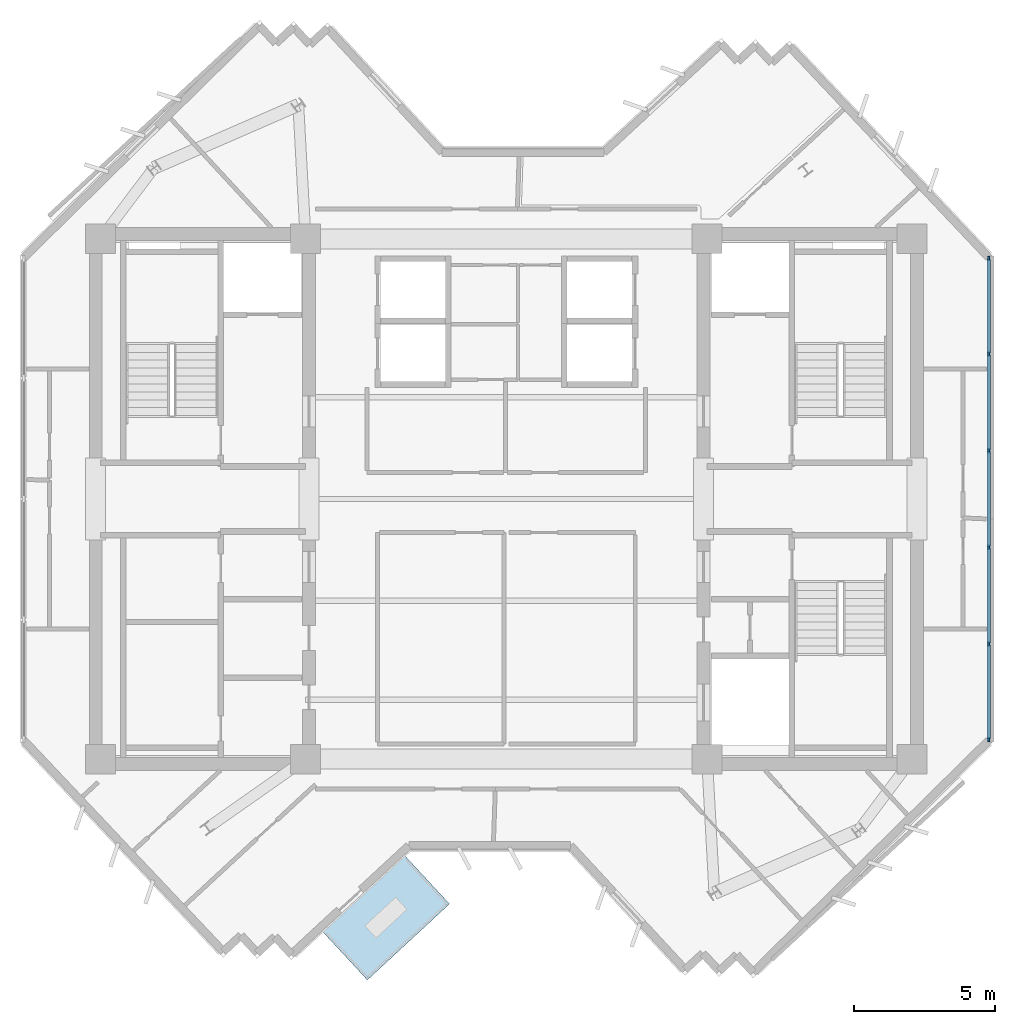
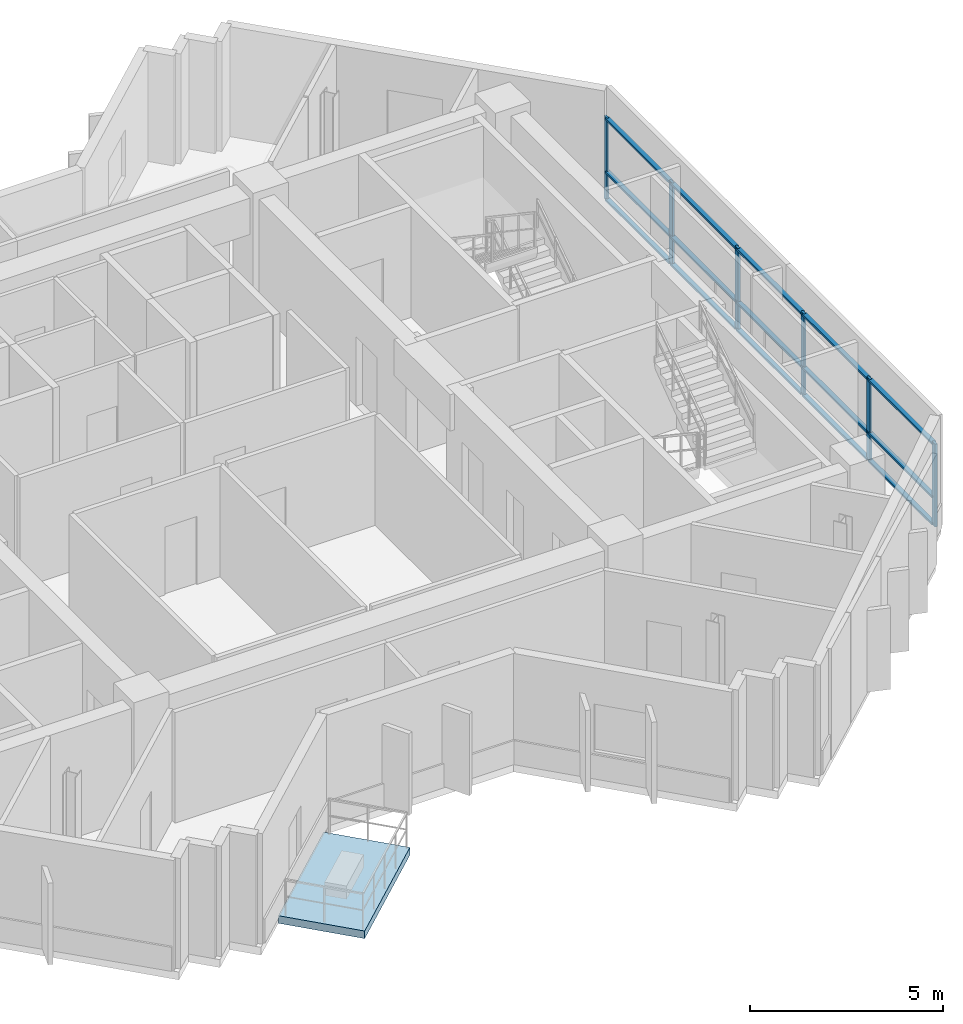
# One storey, part 2 of 9: 21 members, 1 slab, 1 element without a shape of its own.
"""IFC4 building model written with IfcOpenShell, lengths in metres."""

import ifcopenshell
import ifcopenshell.guid

model = None  # the IFC model being written
_history = None  # IfcOwnerHistory: only IFC2X3 demands one
_inside = {}  # id of a spatial element -> (the spatial element, [elements in it])
_under = {}  # id of a project, library or spatial element -> (it, [spatial elements below it])
_declared = {}  # id of a project -> (the project, [libraries it declares])
_typed = {}  # id of a type object -> (the type object, [elements of that type])
_made_of = {}  # id of a material, layer set ... -> (it, [elements and type objects made of it])


def new_model(schema):
    """Start an empty IFC model of exactly this schema.

    Asked for "IFC4X3", IfcOpenShell would pick the latest addendum, in which some entities
    have other attributes; the version numbers below select the first issue.
    IFC2X3 requires an IfcOwnerHistory on every rooted entity: one is made here for all.
    """
    global model, _history
    if schema == "IFC4X3":
        model = ifcopenshell.file(schema_version=(4, 3, 0, 0))
    else:
        model = ifcopenshell.file(schema=schema)
    _inside.clear()
    _under.clear()
    _declared.clear()
    _typed.clear()
    _made_of.clear()
    _history = None
    if model.schema == "IFC2X3":
        org = make("IfcOrganization", Name="unknown")
        user = make(
            "IfcPersonAndOrganization",
            ThePerson=make("IfcPerson", FamilyName="unknown"),
            TheOrganization=org,
        )
        app = make(
            "IfcApplication",
            ApplicationDeveloper=org,
            Version="unknown",
            ApplicationFullName="unknown",
            ApplicationIdentifier="unknown",
        )
        _history = make(
            "IfcOwnerHistory",
            OwningUser=user,
            OwningApplication=app,
            ChangeAction="ADDED",
            CreationDate=0,
        )
    return model


def make(cls, **values):
    """One entity of the class cls with the attributes given. An attribute that is None is left unset."""
    return model.create_entity(
        cls, **{name: value for name, value in values.items() if value is not None}
    )


def rooted(cls, **values):
    """An entity with a GlobalId (a new one), such as an element, a storey or a relation."""
    return make(cls, GlobalId=ifcopenshell.guid.new(), OwnerHistory=_history, **values)


def si_unit(unit_type, name, prefix=None):
    """IfcSIUnit, for example si_unit("LENGTHUNIT", "METRE", prefix="MILLI")."""
    return make("IfcSIUnit", UnitType=unit_type, Prefix=prefix, Name=name)


def assignment(units):
    """IfcUnitAssignment: the units of a project."""
    return None if units is None else make("IfcUnitAssignment", Units=units)


def point(xyz):
    """IfcCartesianPoint."""
    return None if xyz is None else make("IfcCartesianPoint", Coordinates=xyz)


def direction(xyz):
    """IfcDirection."""
    return None if xyz is None else make("IfcDirection", DirectionRatios=xyz)


def frame(location, z_axis=None, x_axis=None):
    """IfcAxis2Placement3D, a coordinate frame: its origin and axes. An axis left out is left unset."""
    return make(
        "IfcAxis2Placement3D",
        Location=point(location),
        Axis=direction(z_axis),
        RefDirection=direction(x_axis),
    )


def frame_2d(location, x_axis=None):
    """IfcAxis2Placement2D, a coordinate frame in the plane: its origin and x axis."""
    return make(
        "IfcAxis2Placement2D", Location=point(location), RefDirection=direction(x_axis)
    )


def origin():
    """The frame at (0, 0, 0) with its axes left unset."""
    return frame((0.0, 0.0, 0.0))


def origin_2d():
    """The frame at (0, 0) in the plane with its x axis left unset."""
    return frame_2d((0.0, 0.0))


def place(relative_to, where):
    """IfcLocalPlacement: puts the frame where relative to a parent placement (None: the world)."""
    return make(
        "IfcLocalPlacement", PlacementRelTo=relative_to, RelativePlacement=where
    )


def context(
    kind, dimensions, precision=None, world=None, true_north=None, identifier=None
):
    """IfcGeometricRepresentationContext, for example the 3D "Model" context."""
    return make(
        "IfcGeometricRepresentationContext",
        ContextIdentifier=identifier,
        ContextType=kind,
        CoordinateSpaceDimension=dimensions,
        Precision=precision,
        WorldCoordinateSystem=world,
        TrueNorth=true_north,
    )


def subcontext(parent, identifier, kind, view, scale=None):
    """IfcGeometricRepresentationSubContext, for example "Body" below "Model"."""
    return make(
        "IfcGeometricRepresentationSubContext",
        ContextIdentifier=identifier,
        ContextType=kind,
        ParentContext=parent,
        TargetScale=scale,
        TargetView=view,
    )


def project(units=None, contexts=None):
    """IfcProject with its units and contexts."""
    return rooted(
        "IfcProject",
        Name="project",
        RepresentationContexts=contexts,
        UnitsInContext=assignment(units),
    )


def spatial(cls, under=None, at=None, **own):
    """A site, building, storey or space (cls), placed at a placement, below another one or the project."""
    s = rooted(cls, ObjectPlacement=at, **own)
    if under is not None:
        _under.setdefault(under.id(), (under, []))[1].append(s)
    return s


def polyline(points):
    """IfcPolyline through the points."""
    return make("IfcPolyline", Points=[point(p) for p in points])


def profile(cls, at=None, kind="AREA", **sizes):
    """A parametric profile (cls). Its sizes go by their IFC names, for example OverallWidth=200.0."""
    return make(cls, ProfileType=kind, Position=at, **sizes)


def rectangle(**sizes):
    """IfcRectangleProfileDef."""
    return profile("IfcRectangleProfileDef", **sizes)


def outline(outer, holes=None, kind="AREA"):
    """IfcArbitraryClosedProfileDef: a profile drawn as a closed curve; with holes, ...WithVoids."""
    if holes is None:
        return make("IfcArbitraryClosedProfileDef", ProfileType=kind, OuterCurve=outer)
    return make(
        "IfcArbitraryProfileDefWithVoids",
        ProfileType=kind,
        OuterCurve=outer,
        InnerCurves=holes,
    )


def extrude(swept, where, along, depth):
    """IfcExtrudedAreaSolid: the profile swept, set in the frame where, extruded along a direction by depth."""
    return make(
        "IfcExtrudedAreaSolid",
        SweptArea=swept,
        Position=where,
        ExtrudedDirection=direction(along),
        Depth=depth,
    )


def shape(context_of_items, identifier, shape_type, items):
    """IfcShapeRepresentation: the items that make up one representation, for example the "Body"."""
    return make(
        "IfcShapeRepresentation",
        ContextOfItems=context_of_items,
        RepresentationIdentifier=identifier,
        RepresentationType=shape_type,
        Items=items,
    )


def source(mapping_origin, context_of_items, identifier, shape_type, items):
    """IfcRepresentationMap: a shape defined once, which mapped items show again and again."""
    return make(
        "IfcRepresentationMap",
        MappingOrigin=mapping_origin,
        MappedRepresentation=shape(context_of_items, identifier, shape_type, items),
    )


def transform(
    local_origin,
    x_axis=None,
    y_axis=None,
    z_axis=None,
    scale=None,
    scale2=None,
    scale3=None,
    uniform=True,
):
    """IfcCartesianTransformationOperator3D, or its non-uniform kind. x_axis, y_axis, z_axis: its Axis1, 2, 3."""
    if uniform:
        return make(
            "IfcCartesianTransformationOperator3D",
            Axis1=direction(x_axis),
            Axis2=direction(y_axis),
            LocalOrigin=point(local_origin),
            Scale=scale,
            Axis3=direction(z_axis),
        )
    return make(
        "IfcCartesianTransformationOperator3DnonUniform",
        Axis1=direction(x_axis),
        Axis2=direction(y_axis),
        LocalOrigin=point(local_origin),
        Scale=scale,
        Axis3=direction(z_axis),
        Scale2=scale2,
        Scale3=scale3,
    )


def mapped(mapping_source, mapping_target):
    """IfcMappedItem: shows the shape of a source again, moved by a transform."""
    return make(
        "IfcMappedItem", MappingSource=mapping_source, MappingTarget=mapping_target
    )


def material(Name=None, Category=None):
    """IfcMaterial."""
    return make("IfcMaterial", Name=Name, Category=Category)


def layer(
    of_material, thickness, ventilated=None, Name=None, Category=None, Priority=None
):
    """IfcMaterialLayer: one layer of a wall or slab, of a material (None: an air gap)."""
    return make(
        "IfcMaterialLayer",
        Material=of_material,
        LayerThickness=thickness,
        IsVentilated=ventilated,
        Name=Name,
        Category=Category,
        Priority=Priority,
    )


def layer_set(layers, Name=None):
    """IfcMaterialLayerSet."""
    return make("IfcMaterialLayerSet", MaterialLayers=layers, LayerSetName=Name)


def material_profile(
    of_material, cross_section, Name=None, Category=None, Priority=None
):
    """IfcMaterialProfile: a cross section and its material."""
    return make(
        "IfcMaterialProfile",
        Name=Name,
        Material=of_material,
        Profile=cross_section,
        Priority=Priority,
        Category=Category,
    )


def profile_set(profiles, Name=None, composite=None):
    """IfcMaterialProfileSet."""
    return make(
        "IfcMaterialProfileSet",
        Name=Name,
        MaterialProfiles=profiles,
        CompositeProfile=composite,
    )


def made_of(thing, what):
    """Note that an element or type object is made of a material, layer set ...; save() writes the relation."""
    if what is not None:
        _made_of.setdefault(what.id(), (what, []))[1].append(thing)
    return thing


def type_object(cls, material=None, **own):
    """A type object (cls), such as IfcWallType, which elements share."""
    return made_of(rooted(cls, **own), material)


def element(
    cls,
    number,
    at=None,
    inside=None,
    cuts=None,
    type_object=None,
    material=None,
    context=None,
    identifier="Body",
    shape_type=None,
    held_by="IfcProductDefinitionShape",
    body=None,
    shapes=None,
    **own,
):
    """One element of the class cls, such as IfcWall. Its Tag is "e" and its number.

    at: its placement. inside: the storey or other place that contains it. cuts: it is an
    opening in that element (IfcRelVoidsElement). A single representation is given by context,
    identifier, shape_type and body (its items); several are given by shapes. held_by: the class
    of the entity that holds the representations. save() writes the other relations.
    """
    e = rooted(cls, Tag="e%d" % number, ObjectPlacement=at, **own)
    if body is not None:
        shapes = [shape(context, identifier, shape_type, body)]
    if shapes is not None:
        e.Representation = make(held_by, Representations=shapes)
    if inside is not None:
        _inside.setdefault(inside.id(), (inside, []))[1].append(e)
    if cuts is not None:
        rooted(
            "IfcRelVoidsElement", RelatingBuildingElement=cuts, RelatedOpeningElement=e
        )
    if type_object is not None:
        _typed.setdefault(type_object.id(), (type_object, []))[1].append(e)
    return made_of(e, material)


def aggregate(whole, parts):
    """IfcRelAggregates: a whole, such as a stair, and the parts it consists of."""
    return rooted("IfcRelAggregates", RelatingObject=whole, RelatedObjects=parts)


def save(model, path):
    """Write the relations noted so far, then the file.

    IfcRelAggregates (storeys below a building ...), IfcRelContainedInSpatialStructure (elements
    in a storey), IfcRelDefinesByType, IfcRelAssociatesMaterial and IfcRelDeclares: one each for
    every whole, place, type object, material and project.
    """
    for whole, parts in _under.values():
        aggregate(whole, parts)
    for where, things in _inside.values():
        rooted(
            "IfcRelContainedInSpatialStructure",
            RelatedElements=things,
            RelatingStructure=where,
        )
    for kind, things in _typed.values():
        rooted("IfcRelDefinesByType", RelatedObjects=things, RelatingType=kind)
    for what, things in _made_of.values():
        rooted("IfcRelAssociatesMaterial", RelatedObjects=things, RelatingMaterial=what)
    for by, libraries in _declared.values():
        rooted("IfcRelDeclares", RelatingContext=by, RelatedDefinitions=libraries)
    model.write(path)


model = new_model("IFC4")

# Units and contexts
model_context = context("Model", 3, precision=1e-05, world=origin(), true_north=direction((0.0, 1.0)))
body_context = subcontext(model_context, "Body", "Model", "MODEL_VIEW")
ifc_project = project(units=[si_unit("LENGTHUNIT", "METRE"), si_unit("AREAUNIT", "SQUARE_METRE"), si_unit("VOLUMEUNIT", "CUBIC_METRE"), si_unit("PLANEANGLEUNIT", "RADIAN"), si_unit("MASSUNIT", "GRAM", prefix="KILO")], contexts=[model_context])

# Site, building, storey
site_placement = place(None, origin())
site = spatial("IfcSite", under=ifc_project, at=site_placement, CompositionType="ELEMENT")
building_placement = place(site_placement, origin())
building = spatial("IfcBuilding", under=site, at=building_placement, Name="Zahravan Cultural Tower", CompositionType="ELEMENT")
storey_placement = place(building_placement, frame((0.0, 0.0, 295.35009765625)))
storey = spatial("IfcBuildingStorey", under=building, at=storey_placement, Name="L71", CompositionType="ELEMENT", Elevation=295.35009765625)

# Curtain wall, members
ifc_material_1 = material(Name="Anodised bronze-aluminium mullion", Category="aluminium")
ifc_layer_1 = layer(ifc_material_1, 0.1650390625)
ifc_layer_set_1 = layer_set([ifc_layer_1], Name="Anodised bronze-aluminium mullion")
curtain_wall_type = type_object("IfcCurtainWallType", Name="CW-SYS-4", PredefinedType="USERDEFINED", material=ifc_layer_set_1)
curtain_wall_placement = place(storey_placement, origin())
curtain_wall = element("IfcCurtainWall", 1, at=curtain_wall_placement, inside=storey, type_object=curtain_wall_type, Name="L71 Recessed Curtain Wall CW-4.1", ObjectType="RECESSED GLAZING", PredefinedType="USERDEFINED")
ifc_material_profile_1 = material_profile(ifc_material_1, rectangle(XDim=0.06494140625, YDim=0.1650390625, at=origin_2d()), Name="AL-M65X165")
ifc_profile_set_1 = profile_set([ifc_material_profile_1], Name="Anodised bronze-aluminium mullion")
member_type_1 = type_object("IfcMemberType", Name="CWM-CW-4", PredefinedType="MULLION", material=ifc_profile_set_1)
shared_shape_1 = source(origin(), body_context, "Body", "SweptSolid", [
    extrude(rectangle(XDim=0.06494140625, YDim=0.1650390625, at=origin_2d()), origin(), (0.0, 0.0, 1.0), 2.619873046875),
])
member_1_placement = place(storey_placement, frame((53.06005859375, 35.509521484375, 0.0), z_axis=(0.0, 0.0, 1.0), x_axis=(1.0, 0.0, 0.0)))
member_1 = element("IfcMember", 2, at=member_1_placement, type_object=member_type_1, Name="CW-4 mullion 1", PredefinedType="MULLION", context=body_context, shape_type="MappedRepresentation", body=[
    mapped(shared_shape_1, transform((0.0, 0.0, 0.0), x_axis=(1.0, 0.0, 0.0), y_axis=(0.0, 1.0, 0.0), z_axis=(0.0, 0.0, 1.0), scale=1.0)),
])
member_2_placement = place(storey_placement, frame((53.06005859375, 32.125244140625, 0.0), z_axis=(0.0, 0.0, 1.0), x_axis=(1.0, 0.0, 0.0)))
member_2 = element("IfcMember", 3, at=member_2_placement, type_object=member_type_1, Name="CW-4 mullion 2", PredefinedType="MULLION", context=body_context, shape_type="MappedRepresentation", body=[
    mapped(shared_shape_1, transform((0.0, 0.0, 0.0), x_axis=(1.0, 0.0, 0.0), y_axis=(0.0, 1.0, 0.0), z_axis=(0.0, 0.0, 1.0), scale=1.0)),
])
member_3_placement = place(storey_placement, frame((53.06005859375, 28.70849609375, 0.0), z_axis=(0.0, 0.0, 1.0), x_axis=(1.0, 0.0, 0.0)))
member_3 = element("IfcMember", 4, at=member_3_placement, type_object=member_type_1, Name="CW-4 mullion 3", PredefinedType="MULLION", context=body_context, shape_type="MappedRepresentation", body=[
    mapped(shared_shape_1, transform((0.0, 0.0, 0.0), x_axis=(1.0, 0.0, 0.0), y_axis=(0.0, 1.0, 0.0), z_axis=(0.0, 0.0, 1.0), scale=1.0)),
])
member_4_placement = place(storey_placement, frame((53.06005859375, 25.29150390625, 0.0), z_axis=(0.0, 0.0, 1.0), x_axis=(1.0, 0.0, 0.0)))
member_4 = element("IfcMember", 5, at=member_4_placement, type_object=member_type_1, Name="CW-4 mullion 4", PredefinedType="MULLION", context=body_context, shape_type="MappedRepresentation", body=[
    mapped(shared_shape_1, transform((0.0, 0.0, 0.0), x_axis=(1.0, 0.0, 0.0), y_axis=(0.0, 1.0, 0.0), z_axis=(0.0, 0.0, 1.0), scale=1.0)),
])
member_5_placement = place(storey_placement, frame((53.06005859375, 21.874755859375, 0.0), z_axis=(0.0, 0.0, 1.0), x_axis=(1.0, 0.0, 0.0)))
member_5 = element("IfcMember", 6, at=member_5_placement, type_object=member_type_1, Name="CW-4 mullion 5", PredefinedType="MULLION", context=body_context, shape_type="MappedRepresentation", body=[
    mapped(shared_shape_1, transform((0.0, 0.0, 0.0), x_axis=(1.0, 0.0, 0.0), y_axis=(0.0, 1.0, 0.0), z_axis=(0.0, 0.0, 1.0), scale=1.0)),
])
member_6_placement = place(storey_placement, frame((53.06005859375, 18.490478515625, 0.0), z_axis=(0.0, 0.0, 1.0), x_axis=(1.0, 0.0, 0.0)))
member_6 = element("IfcMember", 7, at=member_6_placement, type_object=member_type_1, Name="CW-4 mullion 6", PredefinedType="MULLION", context=body_context, shape_type="MappedRepresentation", body=[
    mapped(shared_shape_1, transform((0.0, 0.0, 0.0), x_axis=(1.0, 0.0, 0.0), y_axis=(0.0, 1.0, 0.0), z_axis=(0.0, 0.0, 1.0), scale=1.0)),
])
ifc_material_profile_2 = material_profile(ifc_material_1, rectangle(XDim=0.1298828125, YDim=0.06494140625, at=origin_2d()), Name="AL-T65X130")
ifc_profile_set_2 = profile_set([ifc_material_profile_2], Name="Anodised bronze-aluminium mullion")
member_type_2 = type_object("IfcMemberType", Name="CWT-CW-4", PredefinedType="USERDEFINED", material=ifc_profile_set_2)
shared_shape_2 = source(origin(), body_context, "Body", "SweptSolid", [
    extrude(rectangle(XDim=0.1298828125, YDim=0.06494140625, at=origin_2d()), origin(), (0.0, 0.0, 1.0), 3.3193359375),
])
member_7_placement = place(storey_placement, frame((53.06005859375, 35.47705078125, 0.032470703125), z_axis=(0.0, -1.0, 0.0), x_axis=(1.0, 0.0, 0.0)))
member_7 = element("IfcMember", 8, at=member_7_placement, type_object=member_type_2, Name="CW-4 transom 1.1", ObjectType="TRANSOM", PredefinedType="USERDEFINED", context=body_context, shape_type="MappedRepresentation", body=[
    mapped(shared_shape_2, transform((0.0, 0.0, 0.0), x_axis=(1.0, 0.0, 0.0), y_axis=(0.0, 1.0, 0.0), z_axis=(0.0, 0.0, 1.0), scale=1.0)),
])
member_8_placement = place(storey_placement, frame((53.06005859375, 35.47705078125, 0.89990234375), z_axis=(0.0, -1.0, 0.0), x_axis=(1.0, 0.0, 0.0)))
member_8 = element("IfcMember", 9, at=member_8_placement, type_object=member_type_2, Name="CW-4 transom 1.2", ObjectType="TRANSOM", PredefinedType="USERDEFINED", context=body_context, shape_type="MappedRepresentation", body=[
    mapped(shared_shape_2, transform((0.0, 0.0, 0.0), x_axis=(1.0, 0.0, 0.0), y_axis=(0.0, 1.0, 0.0), z_axis=(0.0, 0.0, 1.0), scale=1.0)),
])
member_9_placement = place(storey_placement, frame((53.06005859375, 35.47705078125, 2.58740234375), z_axis=(0.0, -1.0, 0.0), x_axis=(1.0, 0.0, 0.0)))
member_9 = element("IfcMember", 10, at=member_9_placement, type_object=member_type_2, Name="CW-4 transom 1.3", ObjectType="TRANSOM", PredefinedType="USERDEFINED", context=body_context, shape_type="MappedRepresentation", body=[
    mapped(shared_shape_2, transform((0.0, 0.0, 0.0), x_axis=(1.0, 0.0, 0.0), y_axis=(0.0, 1.0, 0.0), z_axis=(0.0, 0.0, 1.0), scale=1.0)),
])
member_10_placement = place(storey_placement, frame((53.06005859375, 21.84228515625, 0.032470703125), z_axis=(0.0, -1.0, 0.0), x_axis=(1.0, 0.0, 0.0)))
member_10 = element("IfcMember", 11, at=member_10_placement, type_object=member_type_2, Name="CW-4 transom 5.1", ObjectType="TRANSOM", PredefinedType="USERDEFINED", context=body_context, shape_type="MappedRepresentation", body=[
    mapped(shared_shape_2, transform((0.0, 0.0, 0.0), x_axis=(1.0, 0.0, 0.0), y_axis=(0.0, 1.0, 0.0), z_axis=(0.0, 0.0, 1.0), scale=1.0)),
])
member_11_placement = place(storey_placement, frame((53.06005859375, 21.84228515625, 0.89990234375), z_axis=(0.0, -1.0, 0.0), x_axis=(1.0, 0.0, 0.0)))
member_11 = element("IfcMember", 12, at=member_11_placement, type_object=member_type_2, Name="CW-4 transom 5.2", ObjectType="TRANSOM", PredefinedType="USERDEFINED", context=body_context, shape_type="MappedRepresentation", body=[
    mapped(shared_shape_2, transform((0.0, 0.0, 0.0), x_axis=(1.0, 0.0, 0.0), y_axis=(0.0, 1.0, 0.0), z_axis=(0.0, 0.0, 1.0), scale=1.0)),
])
member_12_placement = place(storey_placement, frame((53.06005859375, 21.84228515625, 2.58740234375), z_axis=(0.0, -1.0, 0.0), x_axis=(1.0, 0.0, 0.0)))
member_12 = element("IfcMember", 13, at=member_12_placement, type_object=member_type_2, Name="CW-4 transom 5.3", ObjectType="TRANSOM", PredefinedType="USERDEFINED", context=body_context, shape_type="MappedRepresentation", body=[
    mapped(shared_shape_2, transform((0.0, 0.0, 0.0), x_axis=(1.0, 0.0, 0.0), y_axis=(0.0, 1.0, 0.0), z_axis=(0.0, 0.0, 1.0), scale=1.0)),
])
shared_shape_3 = source(origin(), body_context, "Body", "SweptSolid", [
    extrude(rectangle(XDim=0.1298828125, YDim=0.06494140625, at=origin_2d()), origin(), (0.0, 0.0, 1.0), 3.351806640625),
])
member_13_placement = place(storey_placement, frame((53.06005859375, 32.0927734375, 0.032470703125), z_axis=(0.0, -1.0, 0.0), x_axis=(1.0, 0.0, 0.0)))
member_13 = element("IfcMember", 14, at=member_13_placement, type_object=member_type_2, Name="CW-4 transom 2.1", ObjectType="TRANSOM", PredefinedType="USERDEFINED", context=body_context, shape_type="MappedRepresentation", body=[
    mapped(shared_shape_3, transform((0.0, 0.0, 0.0), x_axis=(1.0, 0.0, 0.0), y_axis=(0.0, 1.0, 0.0), z_axis=(0.0, 0.0, 1.0), scale=1.0)),
])
member_14_placement = place(storey_placement, frame((53.06005859375, 32.0927734375, 0.89990234375), z_axis=(0.0, -1.0, 0.0), x_axis=(1.0, 0.0, 0.0)))
member_14 = element("IfcMember", 15, at=member_14_placement, type_object=member_type_2, Name="CW-4 transom 2.2", ObjectType="TRANSOM", PredefinedType="USERDEFINED", context=body_context, shape_type="MappedRepresentation", body=[
    mapped(shared_shape_3, transform((0.0, 0.0, 0.0), x_axis=(1.0, 0.0, 0.0), y_axis=(0.0, 1.0, 0.0), z_axis=(0.0, 0.0, 1.0), scale=1.0)),
])
member_15_placement = place(storey_placement, frame((53.06005859375, 32.0927734375, 2.58740234375), z_axis=(0.0, -1.0, 0.0), x_axis=(1.0, 0.0, 0.0)))
member_15 = element("IfcMember", 16, at=member_15_placement, type_object=member_type_2, Name="CW-4 transom 2.3", ObjectType="TRANSOM", PredefinedType="USERDEFINED", context=body_context, shape_type="MappedRepresentation", body=[
    mapped(shared_shape_3, transform((0.0, 0.0, 0.0), x_axis=(1.0, 0.0, 0.0), y_axis=(0.0, 1.0, 0.0), z_axis=(0.0, 0.0, 1.0), scale=1.0)),
])
member_16_placement = place(storey_placement, frame((53.06005859375, 25.259033203125, 0.032470703125), z_axis=(0.0, -1.0, 0.0), x_axis=(1.0, 0.0, 0.0)))
member_16 = element("IfcMember", 17, at=member_16_placement, type_object=member_type_2, Name="CW-4 transom 4.1", ObjectType="TRANSOM", PredefinedType="USERDEFINED", context=body_context, shape_type="MappedRepresentation", body=[
    mapped(shared_shape_3, transform((0.0, 0.0, 0.0), x_axis=(1.0, 0.0, 0.0), y_axis=(0.0, 1.0, 0.0), z_axis=(0.0, 0.0, 1.0), scale=1.0)),
])
member_17_placement = place(storey_placement, frame((53.06005859375, 25.259033203125, 0.89990234375), z_axis=(0.0, -1.0, 0.0), x_axis=(1.0, 0.0, 0.0)))
member_17 = element("IfcMember", 18, at=member_17_placement, type_object=member_type_2, Name="CW-4 transom 4.2", ObjectType="TRANSOM", PredefinedType="USERDEFINED", context=body_context, shape_type="MappedRepresentation", body=[
    mapped(shared_shape_3, transform((0.0, 0.0, 0.0), x_axis=(1.0, 0.0, 0.0), y_axis=(0.0, 1.0, 0.0), z_axis=(0.0, 0.0, 1.0), scale=1.0)),
])
member_18_placement = place(storey_placement, frame((53.06005859375, 25.259033203125, 2.58740234375), z_axis=(0.0, -1.0, 0.0), x_axis=(1.0, 0.0, 0.0)))
member_18 = element("IfcMember", 19, at=member_18_placement, type_object=member_type_2, Name="CW-4 transom 4.3", ObjectType="TRANSOM", PredefinedType="USERDEFINED", context=body_context, shape_type="MappedRepresentation", body=[
    mapped(shared_shape_3, transform((0.0, 0.0, 0.0), x_axis=(1.0, 0.0, 0.0), y_axis=(0.0, 1.0, 0.0), z_axis=(0.0, 0.0, 1.0), scale=1.0)),
])
shared_shape_4 = source(origin(), body_context, "Body", "SweptSolid", [
    extrude(rectangle(XDim=0.1298828125, YDim=0.06494140625, at=origin_2d()), origin(), (0.0, 0.0, 1.0), 3.3515625),
])
member_19_placement = place(storey_placement, frame((53.06005859375, 28.67578125, 0.032470703125), z_axis=(0.0, -1.0, 0.0), x_axis=(1.0, 0.0, 0.0)))
member_19 = element("IfcMember", 20, at=member_19_placement, type_object=member_type_2, Name="CW-4 transom 3.1", ObjectType="TRANSOM", PredefinedType="USERDEFINED", context=body_context, shape_type="MappedRepresentation", body=[
    mapped(shared_shape_4, transform((0.0, 0.0, 0.0), x_axis=(1.0, 0.0, 0.0), y_axis=(0.0, 1.0, 0.0), z_axis=(0.0, 0.0, 1.0), scale=1.0)),
])
member_20_placement = place(storey_placement, frame((53.06005859375, 28.67578125, 0.89990234375), z_axis=(0.0, -1.0, 0.0), x_axis=(1.0, 0.0, 0.0)))
member_20 = element("IfcMember", 21, at=member_20_placement, type_object=member_type_2, Name="CW-4 transom 3.2", ObjectType="TRANSOM", PredefinedType="USERDEFINED", context=body_context, shape_type="MappedRepresentation", body=[
    mapped(shared_shape_4, transform((0.0, 0.0, 0.0), x_axis=(1.0, 0.0, 0.0), y_axis=(0.0, 1.0, 0.0), z_axis=(0.0, 0.0, 1.0), scale=1.0)),
])
member_21_placement = place(storey_placement, frame((53.06005859375, 28.67578125, 2.58740234375), z_axis=(0.0, -1.0, 0.0), x_axis=(1.0, 0.0, 0.0)))
member_21 = element("IfcMember", 22, at=member_21_placement, type_object=member_type_2, Name="CW-4 transom 3.3", ObjectType="TRANSOM", PredefinedType="USERDEFINED", context=body_context, shape_type="MappedRepresentation", body=[
    mapped(shared_shape_4, transform((0.0, 0.0, 0.0), x_axis=(1.0, 0.0, 0.0), y_axis=(0.0, 1.0, 0.0), z_axis=(0.0, 0.0, 1.0), scale=1.0)),
])
aggregate(curtain_wall, [member_1, member_2, member_3, member_4, member_5, member_6, member_7, member_8, member_9, member_13, member_14, member_15, member_19, member_20, member_21, member_16, member_17, member_18, member_10, member_11, member_12])

# Slab
ifc_material_2 = material(Name="Concrete C40/50", Category="concrete")
ifc_layer_2 = layer(ifc_material_2, 0.239990234375)
ifc_layer_set_2 = layer_set([ifc_layer_2], Name="Concrete C40/50")
slab_type = type_object("IfcSlabType", Name="SL-TERR-240", PredefinedType="FLOOR", material=ifc_layer_set_2)
slab_placement = place(storey_placement, frame((0.0, 0.0, -0.239990234375)))
element("IfcSlab", 23, at=slab_placement, inside=storey, type_object=slab_type, Name="L71 Planted Sculpture Terrace SW", PredefinedType="FLOOR", context=body_context, shape_type="SweptSolid", body=[
    extrude(outline(polyline([(33.99072265625, 12.677734375), (32.3984375, 14.3994140625), (29.491455078125, 11.71044921875), (31.083740234375, 9.989013671875), (33.99072265625, 12.677734375)])), origin(), (0.0, 0.0, 1.0), 0.239990234375),
])

save(model, "model.ifc")
